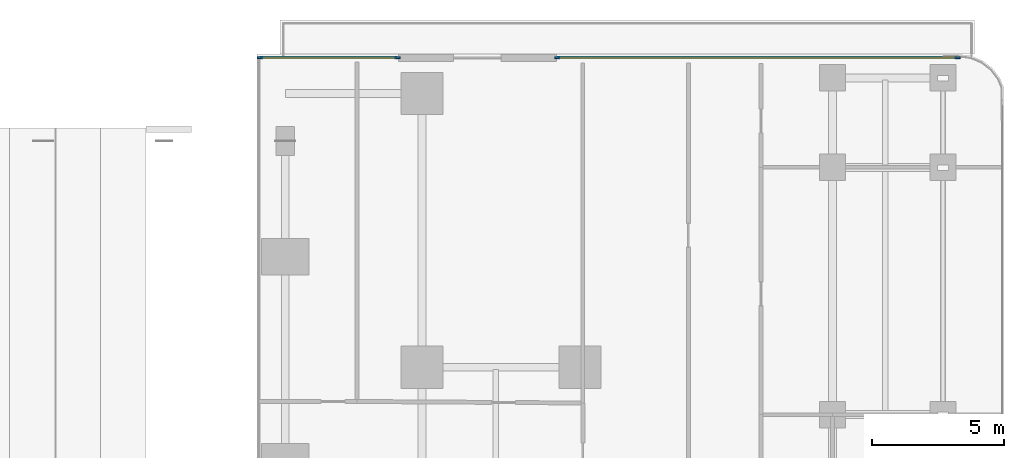
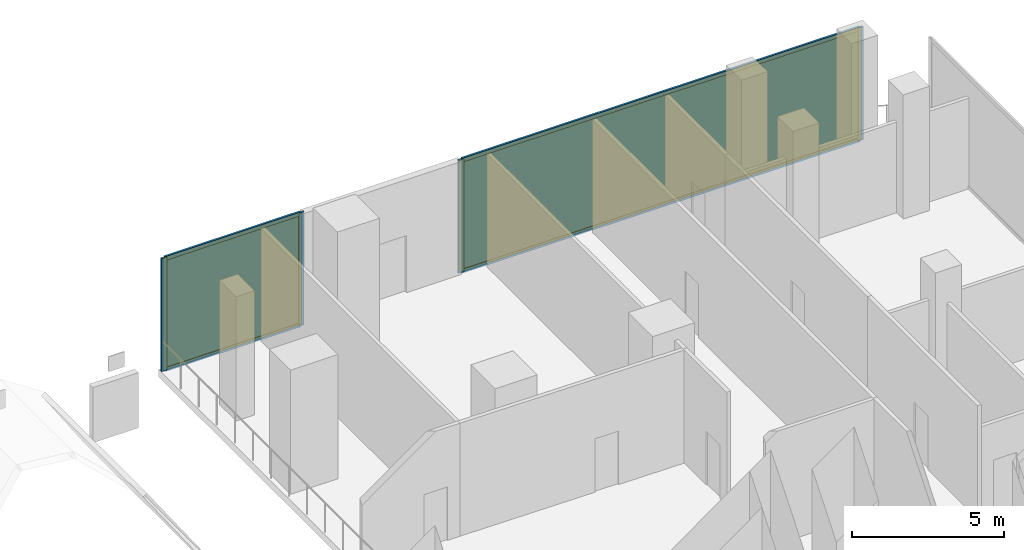
# One storey, part 20 of 32: 8 members, 2 curtain walls, 2 plates.
"""IFC4 building model written with IfcOpenShell, lengths in metres."""

from ifc_helpers import new_model, si_unit, direction, frame, frame_2d, origin, origin_2d, place, context, subcontext, project, spatial, rectangle, extrude, material, layer, layer_set, material_profile, profile_set, type_object, element, aggregate, save


model = new_model("IFC4")

# Units and contexts
model_context = context("Model", 3, precision=1e-05, world=origin(), true_north=direction((0.0, 1.0)))
body_context = subcontext(model_context, "Body", "Model", "MODEL_VIEW")
ifc_project = project(units=[si_unit("LENGTHUNIT", "METRE"), si_unit("AREAUNIT", "SQUARE_METRE"), si_unit("VOLUMEUNIT", "CUBIC_METRE"), si_unit("PLANEANGLEUNIT", "RADIAN"), si_unit("MASSUNIT", "GRAM", prefix="KILO")], contexts=[model_context])

# Member
ifc_material_1 = material(Name="Anodised Bronze Aluminium 6063-T6", Category="aluminium")
ifc_material_profile_1 = material_profile(ifc_material_1, rectangle(XDim=0.074951171875, YDim=0.199951171875, at=origin_2d()))
ifc_profile_set_1 = profile_set([ifc_material_profile_1], Name="Anodised Bronze Aluminium 6063-T6")
member_type_1 = type_object("IfcMemberType", Name="CW-POD Mullion 75x200", PredefinedType="MULLION", material=ifc_profile_set_1)
site_placement = place(None, origin())
building_placement = place(site_placement, origin())
storey_placement = place(building_placement, frame((0.0, 0.0, 16.0)))
member_1_placement = place(storey_placement, frame((8.237548828125, 26.159912109375, 0.0), z_axis=(0.0, 0.0, 1.0), x_axis=(0.0, 1.0, 0.0)))
member_1 = element("IfcMember", 1, at=member_1_placement, type_object=member_type_1, Name="CW-POD mullion 1", PredefinedType="MULLION", context=body_context, shape_type="SweptSolid", body=[
    extrude(rectangle(XDim=0.074951171875, YDim=0.199951171875, at=origin_2d()), origin(), (0.0, 0.0, 1.0), 4.550048828125),
])

member_2_placement = place(storey_placement, frame((13.46240234375, 26.159912109375, 0.0), z_axis=(0.0, 0.0, 1.0), x_axis=(0.0, 1.0, 0.0)))
member_2 = element("IfcMember", 2, at=member_2_placement, type_object=member_type_1, Name="CW-POD mullion 2", PredefinedType="MULLION", context=body_context, shape_type="SweptSolid", body=[
    extrude(rectangle(XDim=0.074951171875, YDim=0.199951171875, at=origin_2d()), origin(), (0.0, 0.0, 1.0), 4.550048828125),
])

member_3_placement = place(storey_placement, frame((19.53759765625, 26.159912109375, 0.0), z_axis=(0.0, 0.0, 1.0), x_axis=(0.0, 1.0, 0.0)))
member_3 = element("IfcMember", 3, at=member_3_placement, type_object=member_type_1, Name="CW-POD mullion 1", PredefinedType="MULLION", context=body_context, shape_type="SweptSolid", body=[
    extrude(rectangle(XDim=0.074951171875, YDim=0.199951171875, at=origin_2d()), origin(), (0.0, 0.0, 1.0), 4.550048828125),
])

member_4_placement = place(storey_placement, frame((34.75341796875, 26.159912109375, 0.0), z_axis=(0.0, 0.0, 1.0), x_axis=(0.0, 1.0, 0.0)))
member_4 = element("IfcMember", 4, at=member_4_placement, type_object=member_type_1, Name="CW-POD mullion 2", PredefinedType="MULLION", context=body_context, shape_type="SweptSolid", body=[
    extrude(rectangle(XDim=0.074951171875, YDim=0.199951171875, at=origin_2d()), origin(), (0.0, 0.0, 1.0), 4.550048828125),
])

ifc_material_2 = material(Name="Anodised Bronze Aluminium 6063-T6", Category="aluminium")
ifc_material_profile_2 = material_profile(ifc_material_2, rectangle(XDim=0.074951171875, YDim=0.159912109375, at=origin_2d()))
ifc_profile_set_2 = profile_set([ifc_material_profile_2], Name="Anodised Bronze Aluminium 6063-T6")
member_type_2 = type_object("IfcMemberType", Name="CW-POD Transom 75x160", PredefinedType="USERDEFINED", material=ifc_profile_set_2)
member_5_placement = place(storey_placement, frame((8.27490234375, 26.159912109375, 0.03759765625), z_axis=(1.0, 0.0, 0.0), x_axis=(0.0, 1.0, 0.0)))
member_5 = element("IfcMember", 5, at=member_5_placement, type_object=member_type_2, Name="CW-POD transom 1.1", ObjectType="TRANSOM", PredefinedType="USERDEFINED", context=body_context, shape_type="SweptSolid", body=[
    extrude(rectangle(XDim=0.074951171875, YDim=0.159912109375, at=origin_2d()), origin(), (0.0, 0.0, 1.0), 5.150146484375),
])

member_6_placement = place(storey_placement, frame((8.27490234375, 26.159912109375, 4.512451171875), z_axis=(1.0, 0.0, 0.0), x_axis=(0.0, 1.0, 0.0)))
member_6 = element("IfcMember", 6, at=member_6_placement, type_object=member_type_2, Name="CW-POD transom 1.2", ObjectType="TRANSOM", PredefinedType="USERDEFINED", context=body_context, shape_type="SweptSolid", body=[
    extrude(rectangle(XDim=0.074951171875, YDim=0.159912109375, at=origin_2d()), origin(), (0.0, 0.0, 1.0), 5.150146484375),
])

member_7_placement = place(storey_placement, frame((19.574951171875, 26.159912109375, 0.03759765625), z_axis=(1.0, 0.0, 0.0), x_axis=(0.0, 1.0, 0.0)))
member_7 = element("IfcMember", 7, at=member_7_placement, type_object=member_type_2, Name="CW-POD transom 1.1", ObjectType="TRANSOM", PredefinedType="USERDEFINED", context=body_context, shape_type="SweptSolid", body=[
    extrude(rectangle(XDim=0.074951171875, YDim=0.159912109375, at=origin_2d()), origin(), (0.0, 0.0, 1.0), 15.140869140625),
])

member_8_placement = place(storey_placement, frame((19.574951171875, 26.159912109375, 4.512451171875), z_axis=(1.0, 0.0, 0.0), x_axis=(0.0, 1.0, 0.0)))
member_8 = element("IfcMember", 8, at=member_8_placement, type_object=member_type_2, Name="CW-POD transom 1.2", ObjectType="TRANSOM", PredefinedType="USERDEFINED", context=body_context, shape_type="SweptSolid", body=[
    extrude(rectangle(XDim=0.074951171875, YDim=0.159912109375, at=origin_2d()), origin(), (0.0, 0.0, 1.0), 15.140869140625),
])

# Plate
ifc_material_3 = material(Name="Low-E Solar Control Laminated Glass", Category="glass")
ifc_layer_1 = layer(ifc_material_3, 0.031982421875, Name="Low-E Solar Control Laminated Glass")
ifc_layer_set_1 = layer_set([ifc_layer_1], Name="Low-E Solar Control Laminated Glass")
plate_type = type_object("IfcPlateType", Name="CW-POD Low-E Double Glazed Panel 32mm", PredefinedType="CURTAIN_PANEL", material=ifc_layer_set_1)
plate_1_placement = place(storey_placement, frame((10.85009765625, 26.159912109375, 0.074951171875), z_axis=(0.0, 0.0, 1.0), x_axis=(1.0, 0.0, 0.0)))
plate_1 = element("IfcPlate", 9, at=plate_1_placement, type_object=plate_type, Name="CW-POD panel 1.1", PredefinedType="CURTAIN_PANEL", context=body_context, shape_type="SweptSolid", body=[
    extrude(rectangle(XDim=5.14990234375, YDim=0.031982421875, at=origin_2d()), origin(), (0.0, 0.0, 1.0), 4.39990234375),
])

plate_2_placement = place(storey_placement, frame((27.1455078125, 26.159912109375, 0.074951171875), z_axis=(0.0, 0.0, 1.0), x_axis=(1.0, 0.0, 0.0)))
plate_2 = element("IfcPlate", 10, at=plate_2_placement, type_object=plate_type, Name="CW-POD panel 1.1", PredefinedType="CURTAIN_PANEL", context=body_context, shape_type="SweptSolid", body=[
    extrude(rectangle(XDim=15.140869140625, YDim=0.031982421875, at=origin_2d()), origin(), (0.0, 0.0, 1.0), 4.39990234375),
])

# Site, building, storey
site = spatial("IfcSite", under=ifc_project, at=site_placement, CompositionType="ELEMENT")
building = spatial("IfcBuilding", under=site, at=building_placement, Name="Khairoan Windgate Tower", CompositionType="ELEMENT")
storey = spatial("IfcBuildingStorey", under=building, at=storey_placement, Name="L04", CompositionType="ELEMENT", Elevation=16.0)

# Curtain wall
ifc_material_4 = material(Name="Anodised Bronze Aluminium 6063-T6", Category="aluminium")
ifc_layer_2 = layer(ifc_material_4, 0.199951171875, Name="Anodised Bronze Aluminium 6063-T6")
ifc_layer_set_2 = layer_set([ifc_layer_2], Name="Anodised Bronze Aluminium 6063-T6")
curtain_wall_type = type_object("IfcCurtainWallType", Name="Podium Arch Galleria Curtain Wall CW-POD", PredefinedType="NOTDEFINED", material=ifc_layer_set_2)
curtain_wall_1_placement = place(storey_placement, frame((8.199951171875, 26.159912109375, 0.0), z_axis=(0.0, 0.0, 1.0), x_axis=(1.0, 0.0, 0.0)))
curtain_wall_1 = element("IfcCurtainWall", 11, at=curtain_wall_1_placement, inside=storey, type_object=curtain_wall_type, Name="L04 East Wing CW 1A", PredefinedType="NOTDEFINED", context=body_context, shape_type="SweptSolid", body=[
    extrude(rectangle(XDim=5.300048828125, YDim=0.010009765625, at=frame_2d((2.64990234375, 0.0))), origin(), (0.0, 0.0, 1.0), 4.550048828125),
])

aggregate(curtain_wall_1, [member_1, member_2, member_5, member_6, plate_1])

curtain_wall_2_placement = place(storey_placement, frame((19.5, 26.159912109375, 0.0), z_axis=(0.0, 0.0, 1.0), x_axis=(1.0, 0.0, 0.0)))
curtain_wall_2 = element("IfcCurtainWall", 12, at=curtain_wall_2_placement, inside=storey, type_object=curtain_wall_type, Name="L04 East Wing CW 1B", PredefinedType="NOTDEFINED", context=body_context, shape_type="SweptSolid", body=[
    extrude(rectangle(XDim=15.290771484375, YDim=0.010009765625, at=frame_2d((7.6455078125, 0.0))), origin(), (0.0, 0.0, 1.0), 4.550048828125),
])

aggregate(curtain_wall_2, [member_3, member_4, member_7, member_8, plate_2])

save(model, "model.ifc")
